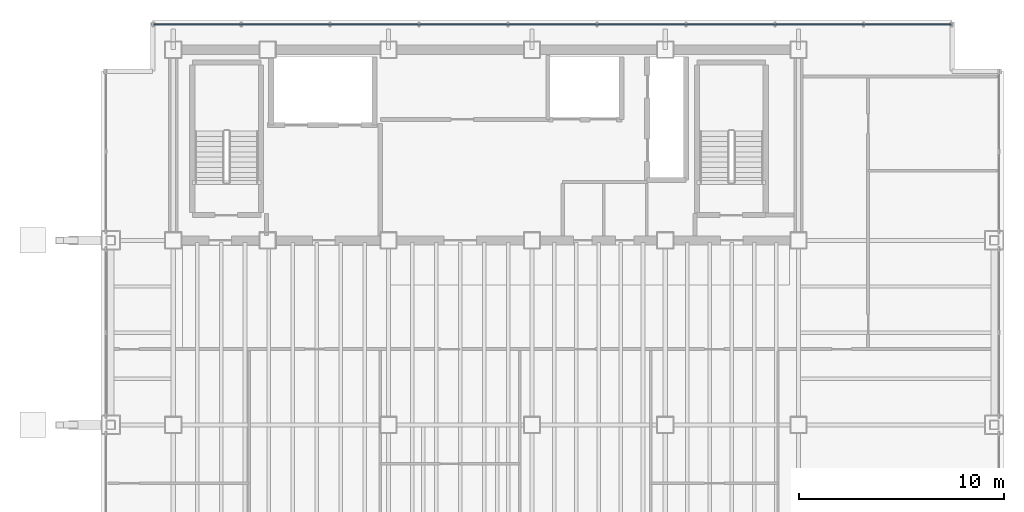
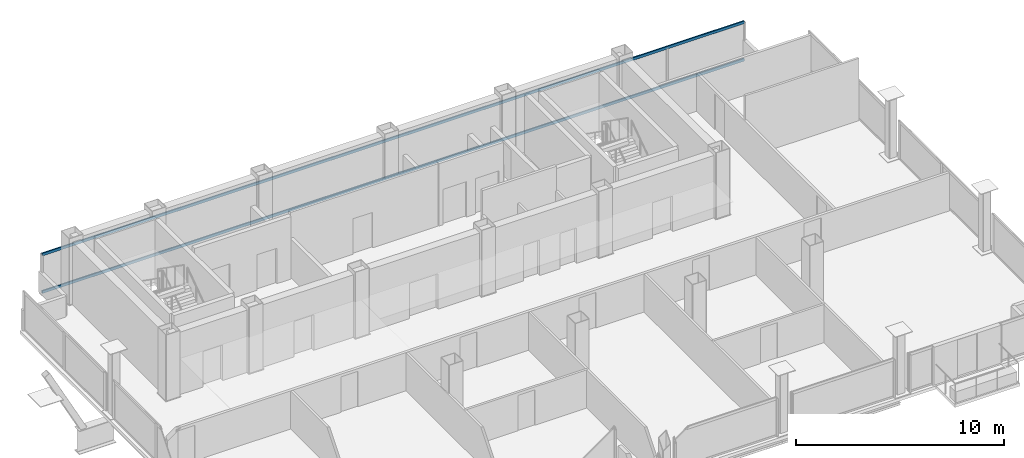
# One storey, part 8 of 17: 2 members, 1 element without a shape of its own.
"""IFC4 building model written with IfcOpenShell, lengths in metres."""

from ifc_helpers import new_model, si_unit, direction, frame, origin, origin_2d, place, context, subcontext, project, spatial, hollow_rectangle, extrude, material, material_profile, profile_set, type_object, element, aggregate, save


model = new_model("IFC4")

# Units and contexts
model_context = context("Model", 3, precision=1e-05, world=origin(), true_north=direction((0.0, 1.0)))
body_context = subcontext(model_context, "Body", "Model", "MODEL_VIEW")
ifc_project = project(units=[si_unit("LENGTHUNIT", "METRE"), si_unit("AREAUNIT", "SQUARE_METRE"), si_unit("VOLUMEUNIT", "CUBIC_METRE"), si_unit("PLANEANGLEUNIT", "RADIAN"), si_unit("MASSUNIT", "GRAM", prefix="KILO")], contexts=[model_context])

# Site, building, storey
site_placement = place(None, origin())
site = spatial("IfcSite", under=ifc_project, at=site_placement, CompositionType="ELEMENT")
building_placement = place(site_placement, origin())
building = spatial("IfcBuilding", under=site, at=building_placement, Name="Noeulbin Bourse Tower", CompositionType="ELEMENT")
storey_placement = place(building_placement, frame((0.0, 0.0, 226.699951171875)))
storey = spatial("IfcBuildingStorey", under=building, at=storey_placement, Name="L56", CompositionType="ELEMENT", Elevation=226.699951171875)

# Curtain wall, members
ifc_material_1 = material(Name="High-Selectivity Low-Iron Glazing", Category="glass")
curtain_wall_type = type_object("IfcCurtainWallType", Name="CW-SYS-4", PredefinedType="NOTDEFINED", material=ifc_material_1)
curtain_wall_placement = place(storey_placement, origin())
curtain_wall = element("IfcCurtainWall", 1, at=curtain_wall_placement, inside=storey, type_object=curtain_wall_type, Name="Unitised Curtain Wall CW-L56-N", PredefinedType="NOTDEFINED")
ifc_material_2 = material(Name="Anodised Aluminium 6063-T6", Category="aluminium")
ifc_material_profile = material_profile(ifc_material_2, hollow_rectangle(XDim=0.074951171875, YDim=0.159912109375, WallThickness=0.0048828125, InnerFilletRadius=0.00244140625, OuterFilletRadius=0.0048828125, at=origin_2d()), Name="ALU-TRAN-75x160x5", Category="LoadBearing")
ifc_profile_set = profile_set([ifc_material_profile], Name="Anodised Aluminium 6063-T6")
member_type = type_object("IfcMemberType", Name="CW-SYS-4-TRN", PredefinedType="USERDEFINED", material=ifc_profile_set)
member_1_placement = place(storey_placement, frame((12.530029296875, 39.530029296875, 0.010009765625), z_axis=(1.0, 0.0, 0.0), x_axis=(0.0, 1.0, 0.0)))
member_1 = element("IfcMember", 2, at=member_1_placement, type_object=member_type, Name="Curtain Wall Transom CW-L56-N-T00", ObjectType="TRANSOM", PredefinedType="USERDEFINED", context=body_context, shape_type="SweptSolid", body=[
    extrude(hollow_rectangle(XDim=0.074951171875, YDim=0.159912109375, WallThickness=0.0048828125, InnerFilletRadius=0.00244140625, OuterFilletRadius=0.0048828125, at=origin_2d()), origin(), (0.0, 0.0, 1.0), 38.93994140625),
])
member_2_placement = place(storey_placement, frame((12.530029296875, 39.530029296875, 2.2099609375), z_axis=(1.0, 0.0, 0.0), x_axis=(0.0, 1.0, 0.0)))
member_2 = element("IfcMember", 3, at=member_2_placement, type_object=member_type, Name="Curtain Wall Transom CW-L56-N-T01", ObjectType="TRANSOM", PredefinedType="USERDEFINED", context=body_context, shape_type="SweptSolid", body=[
    extrude(hollow_rectangle(XDim=0.074951171875, YDim=0.159912109375, WallThickness=0.0048828125, InnerFilletRadius=0.00244140625, OuterFilletRadius=0.0048828125, at=origin_2d()), origin(), (0.0, 0.0, 1.0), 38.93994140625),
])
aggregate(curtain_wall, [member_1, member_2])

save(model, "model.ifc")
